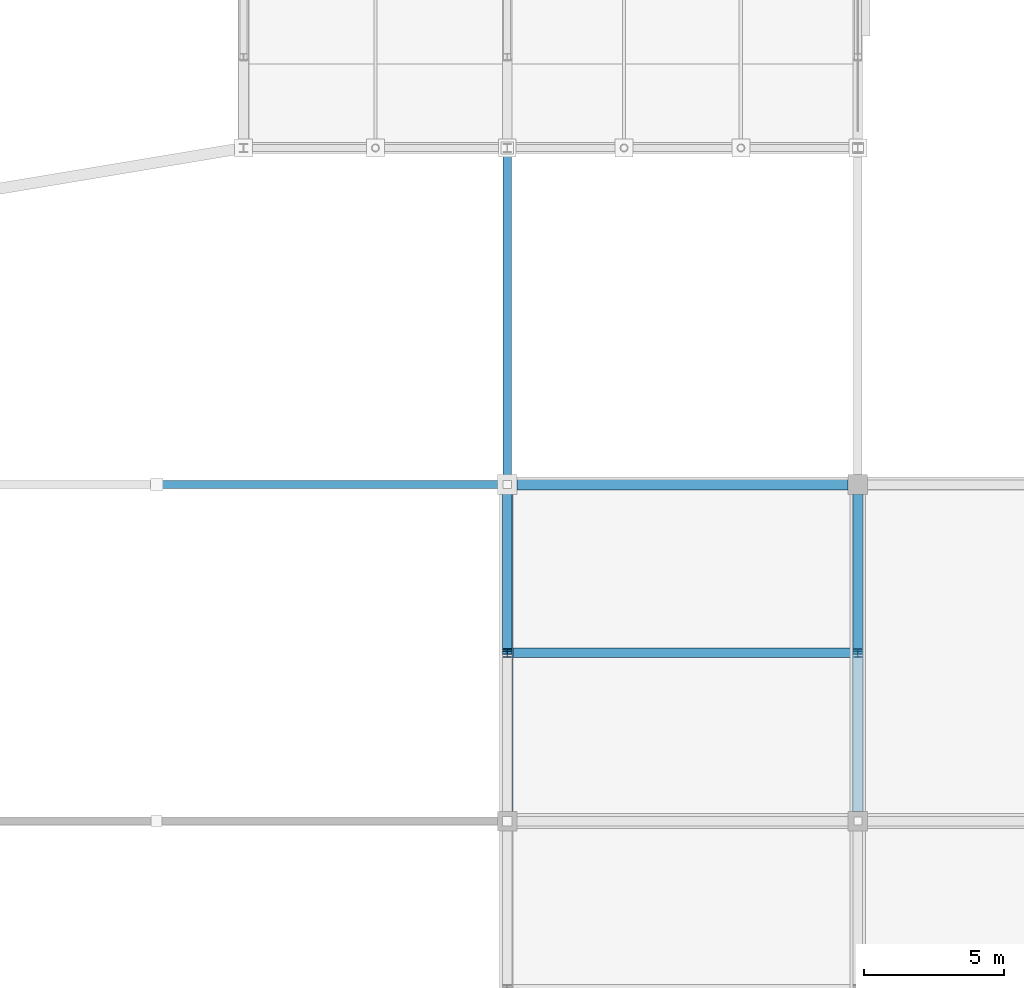
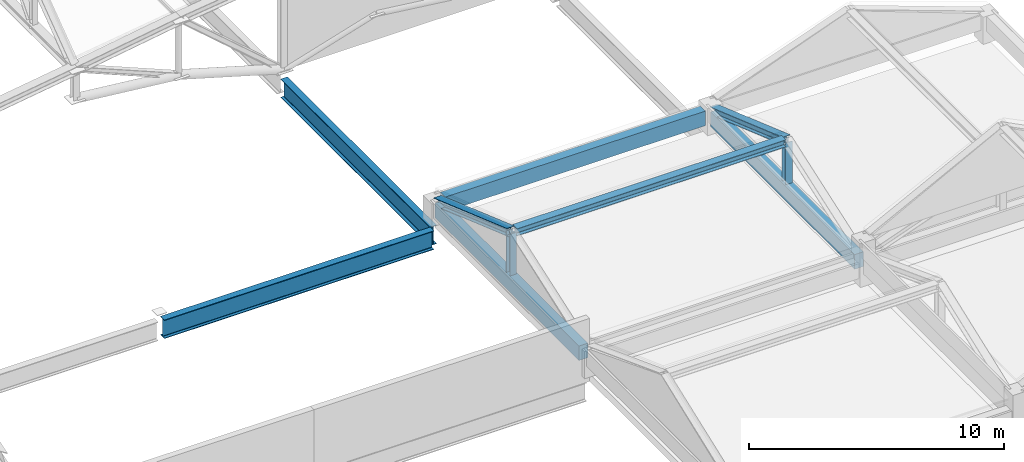
# One storey, part 56 of 117: 5 beams, 5 members.
"""IFC4 building model written with IfcOpenShell, lengths in metres."""

from ifc_helpers import new_model, si_unit, direction, frame, origin, origin_2d, place, context, subcontext, project, spatial, rectangle, i_section, extrude, material, material_profile, profile_set, type_object, element, save


model = new_model("IFC4")

# Units and contexts
model_context = context("Model", 3, precision=1e-05, world=origin(), true_north=direction((0.0, 1.0)))
body_context = subcontext(model_context, "Body", "Model", "MODEL_VIEW")
ifc_project = project(units=[si_unit("LENGTHUNIT", "METRE"), si_unit("AREAUNIT", "SQUARE_METRE"), si_unit("VOLUMEUNIT", "CUBIC_METRE"), si_unit("PLANEANGLEUNIT", "RADIAN"), si_unit("MASSUNIT", "GRAM", prefix="KILO")], contexts=[model_context])

# Site, building, storey
site_placement = place(None, origin())
site = spatial("IfcSite", under=ifc_project, at=site_placement, CompositionType="ELEMENT")
building_placement = place(site_placement, origin())
building = spatial("IfcBuilding", under=site, at=building_placement, Name="Kazenohara Klinker Stadium", CompositionType="ELEMENT")
storey_placement = place(building_placement, frame((0.0, 0.0, 31.199951171875)))
storey = spatial("IfcBuildingStorey", under=building, at=storey_placement, Name="RF", CompositionType="ELEMENT", Elevation=31.199951171875)

# Beams
ifc_material_1 = material(Name="Concrete C40/50", Category="concrete")
ifc_material_profile_1 = material_profile(ifc_material_1, rectangle(XDim=0.39990234375, YDim=0.699951171875, at=origin_2d()), Name="RC-BM-400x700")
ifc_profile_set_1 = profile_set([ifc_material_profile_1], Name="Concrete C40/50")
beam_type_1 = type_object("IfcBeamType", Name="BM-RC04", PredefinedType="BEAM", material=ifc_profile_set_1)
beam_1_placement = place(storey_placement, frame((187.5, 24.35009765625, 0.75), z_axis=(0.0, 1.0, 0.0), x_axis=(-1.0, 0.0, 0.0)))
element("IfcBeam", 1, at=beam_1_placement, inside=storey, type_object=beam_type_1, Name="Turret crown eave girder BG04 RF Y15-2", PredefinedType="BEAM", context=body_context, shape_type="SweptSolid", body=[
    extrude(rectangle(XDim=0.39990234375, YDim=0.699951171875, at=origin_2d()), origin(), (0.0, 0.0, 1.0), 11.2998046875),
])
beam_2_placement = place(storey_placement, frame((175.35009765625, 36.0, 0.75), z_axis=(1.0, 0.0, 0.0), x_axis=(0.0, 1.0, 0.0)))
element("IfcBeam", 2, at=beam_2_placement, inside=storey, type_object=beam_type_1, Name="Turret crown eave girder BG04 RF X14-3", PredefinedType="BEAM", context=body_context, shape_type="SweptSolid", body=[
    extrude(rectangle(XDim=0.39990234375, YDim=0.699951171875, at=origin_2d()), origin(), (0.0, 0.0, 1.0), 11.7998046875),
])
beam_3_placement = place(storey_placement, frame((175.0, 24.35009765625, 0.75), z_axis=(0.0, 1.0, 0.0), x_axis=(-1.0, 0.0, 0.0)))
element("IfcBeam", 3, at=beam_3_placement, inside=storey, type_object=beam_type_1, Name="Turret crown eave girder BG04 RF Y14-2", PredefinedType="BEAM", context=body_context, shape_type="SweptSolid", body=[
    extrude(rectangle(XDim=0.39990234375, YDim=0.699951171875, at=origin_2d()), origin(), (0.0, 0.0, 1.0), 11.2998046875),
])

# Members
ifc_material_2 = material(Name="Steel S355", Category="steel")
ifc_material_profile_2 = material_profile(ifc_material_2, i_section(OverallWidth=0.35009765625, OverallDepth=0.35009765625, WebThickness=0.011962890625, FlangeThickness=0.01904296875, FilletRadius=0.012939453125, at=origin_2d()), Name="H-350x350x12x19")
ifc_profile_set_2 = profile_set([ifc_material_profile_2], Name="Steel S355")
member_type_1 = type_object("IfcMemberType", Name="MEM-CHD02", PredefinedType="CHORD", material=ifc_profile_set_2)
for number, where, z_axis, x_axis, name in (
    (4, (175.0, 35.75, 1.080078125), (0.0, -0.943473005792, 0.331449373723), (1.0, 0.0, 0.0), "Crown gable rafter GT4-NW W North"),
    (5, (187.5, 35.75, 1.080078125), (0.0, -0.943473005792, 0.331449373723), (1.0, 0.0, 0.0), "Crown gable rafter GT4-NW E North"),
):
    element("IfcMember", number, at=place(storey_placement, frame(where, z_axis=z_axis, x_axis=x_axis)), inside=storey, type_object=member_type_1, Name=name, PredefinedType="CHORD", context=body_context, shape_type="SweptSolid", body=[
        extrude(i_section(OverallWidth=0.35009765625, OverallDepth=0.35009765625, WebThickness=0.011962890625, FlangeThickness=0.01904296875, FilletRadius=0.012939453125, at=origin_2d()), origin(), (0.0, 0.0, 1.0), 6.094482421875),
    ])
member_placement = place(storey_placement, frame((175.14990234375, 30.0, 3.10009765625), z_axis=(1.0, 0.0, 0.0), x_axis=(0.0, 1.0, 0.0)))
element("IfcMember", 6, at=member_placement, inside=storey, type_object=member_type_1, Name="Crown ridge beam GT4-NW", PredefinedType="CHORD", context=body_context, shape_type="SweptSolid", body=[
    extrude(i_section(OverallWidth=0.35009765625, OverallDepth=0.35009765625, WebThickness=0.011962890625, FlangeThickness=0.01904296875, FilletRadius=0.012939453125, at=origin_2d()), origin(), (0.0, 0.0, 1.0), 12.2001953125),
])
ifc_material_profile_3 = material_profile(ifc_material_2, i_section(OverallWidth=0.300048828125, OverallDepth=0.300048828125, WebThickness=0.010009765625, FlangeThickness=0.014892578125, FilletRadius=0.012939453125, at=origin_2d()), Name="H-300x300x10x15")
ifc_profile_set_3 = profile_set([ifc_material_profile_3], Name="Steel S355")
member_type_2 = type_object("IfcMemberType", Name="MEM-STR01", PredefinedType="STRUT", material=ifc_profile_set_3)
for number, where, z_axis, x_axis, name in (
    (7, (175.0, 30.0, 1.080078125), (0.0, 0.0, 1.0), (1.0, 0.0, 0.0), "Crown gable king-post GT4-NW W"),
    (8, (187.5, 30.0, 1.080078125), (0.0, 0.0, 1.0), (1.0, 0.0, 0.0), "Crown gable king-post GT4-NW E"),
):
    element("IfcMember", number, at=place(storey_placement, frame(where, z_axis=z_axis, x_axis=x_axis)), inside=storey, type_object=member_type_2, Name=name, PredefinedType="STRUT", context=body_context, shape_type="SweptSolid", body=[
        extrude(i_section(OverallWidth=0.300048828125, OverallDepth=0.300048828125, WebThickness=0.010009765625, FlangeThickness=0.014892578125, FilletRadius=0.012939453125, at=origin_2d()), origin(), (0.0, 0.0, 1.0), 2.02001953125),
    ])

# Beams
ifc_material_profile_4 = material_profile(ifc_material_2, i_section(OverallWidth=0.300048828125, OverallDepth=0.89990234375, WebThickness=0.01611328125, FlangeThickness=0.028076171875, FilletRadius=0.02197265625, at=origin_2d()), Name="H-900x300x16x28")
ifc_profile_set_4 = profile_set([ifc_material_profile_4], Name="Steel S355")
beam_type_2 = type_object("IfcBeamType", Name="RING-RB01", PredefinedType="USERDEFINED", material=ifc_profile_set_4)
beam_4_placement = place(storey_placement, frame((175.0, 36.139892578125, -0.820068359375), z_axis=(0.0, 1.0, 0.0), x_axis=(-1.0, 0.0, 0.0)))
element("IfcBeam", 9, at=beam_4_placement, inside=storey, type_object=beam_type_2, Name="Roof ring beam RB01 E-IN D-E", ObjectType="RING BEAM", PredefinedType="USERDEFINED", context=body_context, shape_type="SweptSolid", body=[
    extrude(i_section(OverallWidth=0.300048828125, OverallDepth=0.89990234375, WebThickness=0.01611328125, FlangeThickness=0.028076171875, FilletRadius=0.02197265625, at=origin_2d()), origin(), (0.0, 0.0, 1.0), 11.72021484375),
])
beam_5_placement = place(storey_placement, frame((162.639892578125, 36.0, -0.820068359375), z_axis=(1.0, 0.0, 0.0), x_axis=(0.0, 1.0, 0.0)))
element("IfcBeam", 10, at=beam_5_placement, inside=storey, type_object=beam_type_2, Name="Roof ring beam RB01 S-IN 14-15", ObjectType="RING BEAM", PredefinedType="USERDEFINED", context=body_context, shape_type="SweptSolid", body=[
    extrude(i_section(OverallWidth=0.300048828125, OverallDepth=0.89990234375, WebThickness=0.01611328125, FlangeThickness=0.028076171875, FilletRadius=0.02197265625, at=origin_2d()), origin(), (0.0, 0.0, 1.0), 12.22021484375),
])

save(model, "model.ifc")
